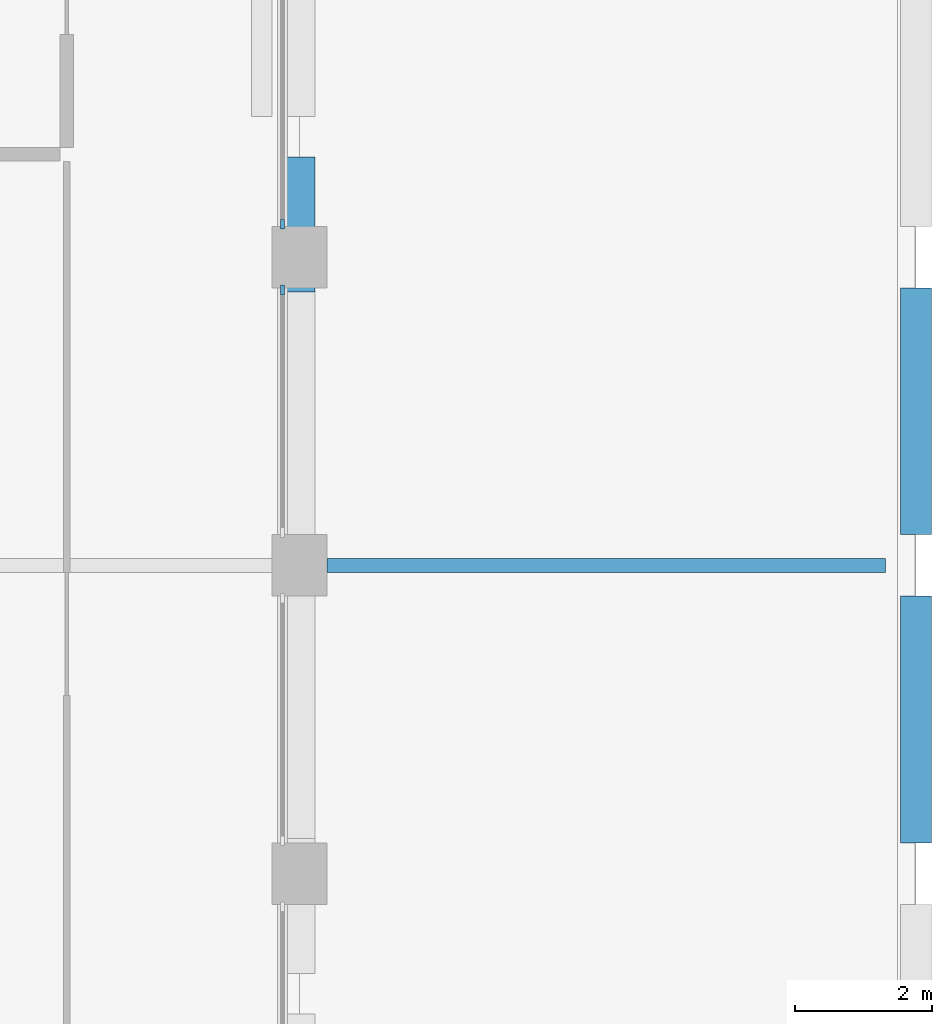
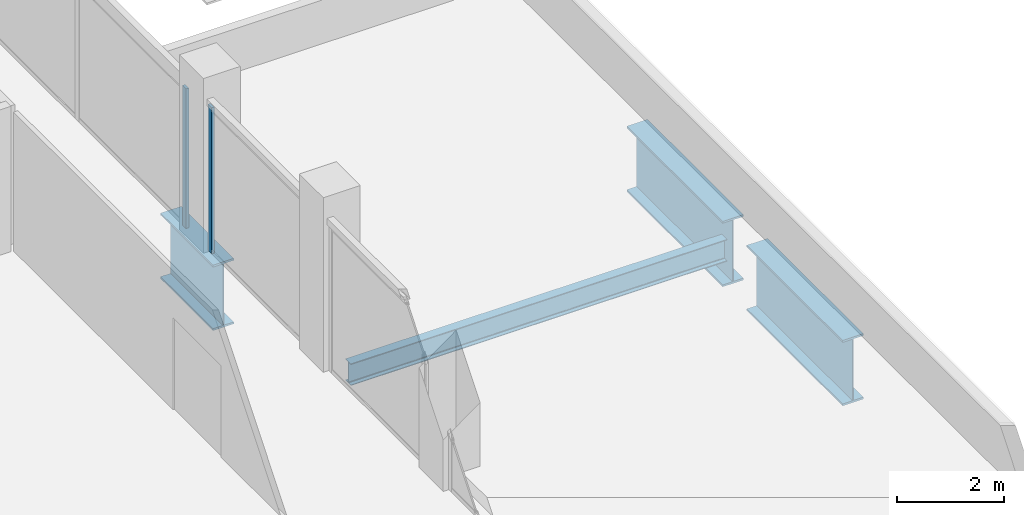
# One storey, part 7 of 14: 4 beams, 2 members, 2 elements without a shape of their own.
"""IFC4 building model written with IfcOpenShell, lengths in metres."""

from ifc_helpers import new_model, si_unit, direction, frame, origin, origin_2d, place, context, subcontext, project, spatial, rectangle, i_section, extrude, material, material_profile, profile_set, type_object, element, aggregate, save


model = new_model("IFC4")

# Units and contexts
model_context = context("Model", 3, precision=1e-05, world=origin(), true_north=direction((0.0, 1.0)))
body_context = subcontext(model_context, "Body", "Model", "MODEL_VIEW")
ifc_project = project(units=[si_unit("LENGTHUNIT", "METRE"), si_unit("AREAUNIT", "SQUARE_METRE"), si_unit("VOLUMEUNIT", "CUBIC_METRE"), si_unit("PLANEANGLEUNIT", "RADIAN"), si_unit("MASSUNIT", "GRAM", prefix="KILO")], contexts=[model_context])

# Site, building, storey
site_placement = place(None, origin())
site = spatial("IfcSite", under=ifc_project, at=site_placement, CompositionType="ELEMENT")
building_placement = place(site_placement, origin())
building = spatial("IfcBuilding", under=site, at=building_placement, Name="Brondeck Convention Tower", CompositionType="ELEMENT")
storey_placement = place(building_placement, frame((0.0, 0.0, 282.800048828125)))
storey = spatial("IfcBuildingStorey", under=building, at=storey_placement, Name="L70", CompositionType="ELEMENT", Elevation=282.800048828125)

# Curtain wall, member
ifc_material_1 = material(Name="Aluminium, bronze anodised", Category="aluminium")
curtain_wall_type = type_object("IfcCurtainWallType", Name="Crown screen curtain wall", PredefinedType="NOTDEFINED", material=ifc_material_1)
curtain_wall_1_placement = place(storey_placement, origin())
curtain_wall_1 = element("IfcCurtainWall", 1, at=curtain_wall_1_placement, inside=storey, type_object=curtain_wall_type, Name="ENV-CW4-L70-K2-K-E-04", PredefinedType="NOTDEFINED")
ifc_material_profile_1 = material_profile(ifc_material_1, rectangle(XDim=0.06005859375, YDim=0.139892578125, at=origin_2d()), Name="CW4 mullion")
ifc_profile_set_1 = profile_set([ifc_material_profile_1], Name="Aluminium, bronze anodised")
member_type = type_object("IfcMemberType", Name="CW4 mullion", PredefinedType="MULLION", material=ifc_profile_set_1)
member_1_placement = place(storey_placement, frame((35.75, 49.02001953125, 0.0), z_axis=(0.0, 0.0, 1.0), x_axis=(1.0, 0.0, 0.0)))
member_1 = element("IfcMember", 2, at=member_1_placement, type_object=member_type, Name="CW4 mullion 1", PredefinedType="MULLION", context=body_context, shape_type="SweptSolid", body=[
    extrude(rectangle(XDim=0.06005859375, YDim=0.139892578125, at=origin_2d()), origin(), (0.0, 0.0, 1.0), 3.349853515625),
])
aggregate(curtain_wall_1, [member_1])

curtain_wall_2_placement = place(storey_placement, origin())
curtain_wall_2 = element("IfcCurtainWall", 3, at=curtain_wall_2_placement, inside=storey, type_object=curtain_wall_type, Name="ENV-CW4-L70-K2-K-E-06", PredefinedType="NOTDEFINED")
member_2_placement = place(storey_placement, frame((35.75, 49.97998046875, 0.0), z_axis=(0.0, 0.0, 1.0), x_axis=(1.0, 0.0, 0.0)))
member_2 = element("IfcMember", 4, at=member_2_placement, type_object=member_type, Name="CW4 mullion 3", PredefinedType="MULLION", context=body_context, shape_type="SweptSolid", body=[
    extrude(rectangle(XDim=0.06005859375, YDim=0.139892578125, at=origin_2d()), origin(), (0.0, 0.0, 1.0), 3.199951171875),
])
aggregate(curtain_wall_2, [member_2])

# Beams
ifc_material_2 = material(Name="Steel S355", Category="steel")
ifc_material_profile_2 = material_profile(ifc_material_2, i_section(OverallWidth=0.199951171875, OverallDepth=0.5, WebThickness=0.01025390625, FlangeThickness=0.01611328125, FilletRadius=0.02099609375, at=origin_2d()), Name="IPE 500")
ifc_profile_set_2 = profile_set([ifc_material_profile_2], Name="Steel S355")
beam_type_1 = type_object("IfcBeamType", Name="Crown frame Floor beam IPE 500", PredefinedType="BEAM", material=ifc_profile_set_2)
beam_1_placement = place(storey_placement, frame((36.39990234375, 45.0, -0.550048828125), z_axis=(1.0, 0.0, 0.0), x_axis=(0.0, 1.0, 0.0)))
element("IfcBeam", 5, at=beam_1_placement, inside=storey, type_object=beam_type_1, Name="STR-FB-L70-S4-A-002", PredefinedType="BEAM", context=body_context, shape_type="SweptSolid", body=[
    extrude(i_section(OverallWidth=0.199951171875, OverallDepth=0.5, WebThickness=0.01025390625, FlangeThickness=0.01611328125, FilletRadius=0.02099609375, at=origin_2d()), origin(), (0.0, 0.0, 1.0), 8.150146484375),
])
ifc_material_3 = material(Name="Steel S460", Category="steel")
ifc_material_profile_3 = material_profile(ifc_material_3, i_section(OverallWidth=0.449951171875, OverallDepth=1.5, WebThickness=0.02490234375, FlangeThickness=0.044921875, at=origin_2d()), Name="PG 1500x450")
ifc_profile_set_3 = profile_set([ifc_material_profile_3], Name="Steel S460")
beam_type_2 = type_object("IfcBeamType", Name="Crown frame Transfer girder PG 1500x450", PredefinedType="BEAM", material=ifc_profile_set_3)
beam_2_placement = place(storey_placement, frame((36.0, 48.989990234375, -1.050048828125), z_axis=(0.0, 1.0, 0.0), x_axis=(-1.0, 0.0, 0.0)))
element("IfcBeam", 6, at=beam_2_placement, inside=storey, type_object=beam_type_2, Name="Crown transfer girder PG-L70K2-11", PredefinedType="BEAM", context=body_context, shape_type="SweptSolid", body=[
    extrude(i_section(OverallWidth=0.449951171875, OverallDepth=1.5, WebThickness=0.02490234375, FlangeThickness=0.044921875, at=origin_2d()), origin(), (0.0, 0.0, 1.0), 1.969970703125),
])
for number, where, z_axis, x_axis, name in (
    (7, (45.0, 49.050048828125, -1.050048828125), (0.0, -1.0, 0.0), (1.0, 0.0, 0.0), "Crown transfer girder PG-L70-S4-A-6"),
    (8, (45.0, 44.550048828125, -1.050048828125), (0.0, -1.0, 0.0), (1.0, 0.0, 0.0), "Crown transfer girder PG-L70-S4-A-7"),
):
    element("IfcBeam", number, at=place(storey_placement, frame(where, z_axis=z_axis, x_axis=x_axis)), inside=storey, type_object=beam_type_2, Name=name, PredefinedType="BEAM", context=body_context, shape_type="SweptSolid", body=[
        extrude(i_section(OverallWidth=0.449951171875, OverallDepth=1.5, WebThickness=0.02490234375, FlangeThickness=0.044921875, at=origin_2d()), origin(), (0.0, 0.0, 1.0), 3.60009765625),
    ])

save(model, "model.ifc")
